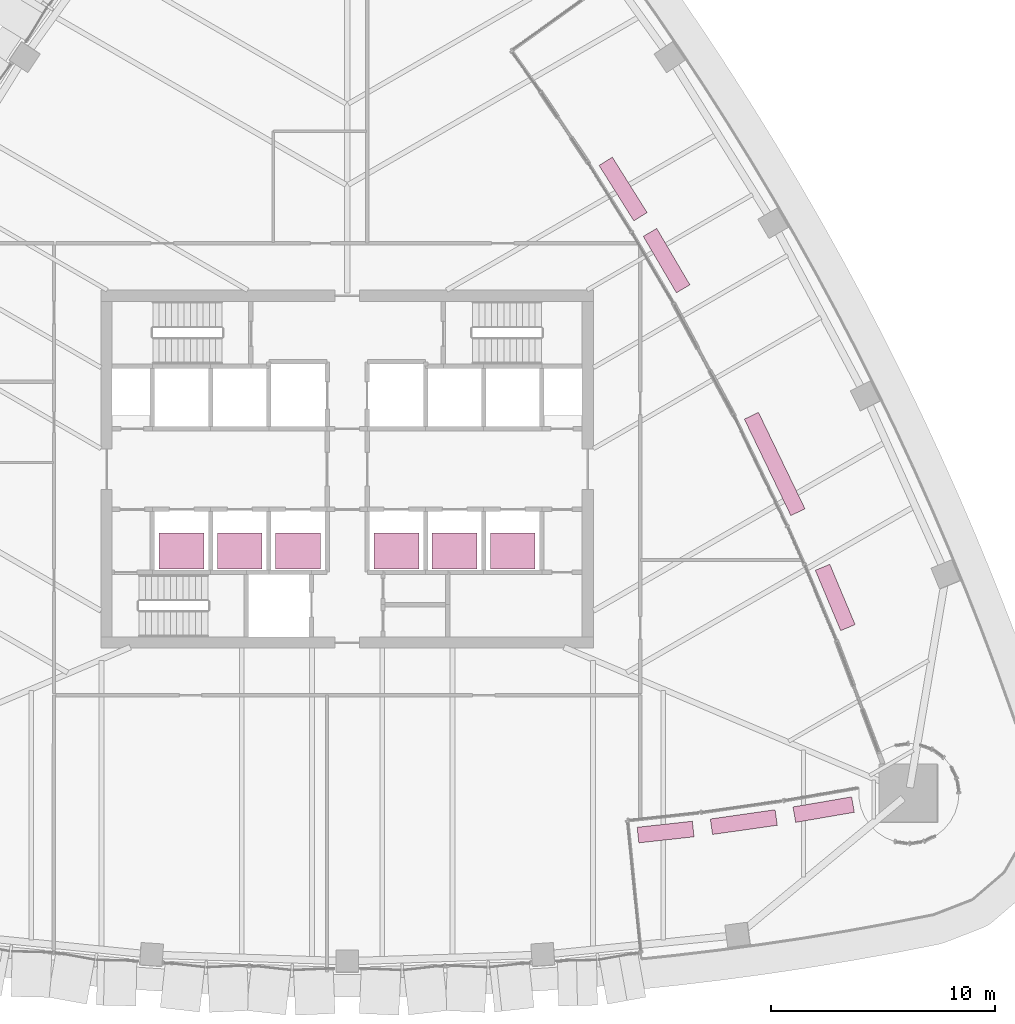
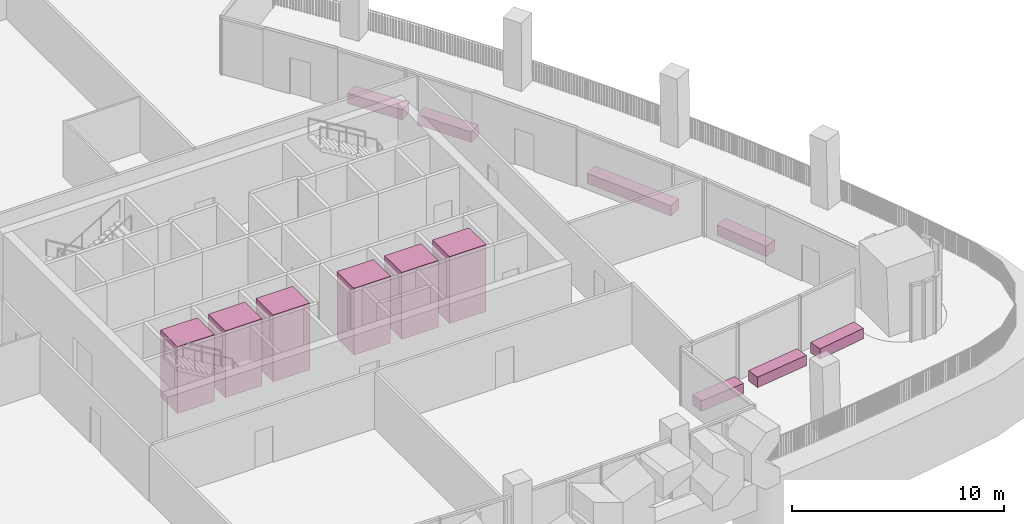
# One storey, part 20 of 20: 7 furniture elements, 6 transport elements.
"""IFC4 building model written with IfcOpenShell, lengths in metres."""

from ifc_helpers import new_model, si_unit, direction, frame, origin, origin_2d, place, context, subcontext, project, spatial, rectangle, extrude, material, type_object, element, save


model = new_model("IFC4")

# Units and contexts
model_context = context("Model", 3, precision=1e-05, world=origin(), true_north=direction((0.0, 1.0)))
body_context = subcontext(model_context, "Body", "Model", "MODEL_VIEW")
ifc_project = project(units=[si_unit("LENGTHUNIT", "METRE"), si_unit("AREAUNIT", "SQUARE_METRE"), si_unit("VOLUMEUNIT", "CUBIC_METRE"), si_unit("PLANEANGLEUNIT", "RADIAN"), si_unit("MASSUNIT", "GRAM", prefix="KILO")], contexts=[model_context])

# Site, building, storey
site_placement = place(None, origin())
site = spatial("IfcSite", under=ifc_project, at=site_placement, CompositionType="ELEMENT")
building_placement = place(site_placement, origin())
building = spatial("IfcBuilding", under=site, at=building_placement, Name="Sierra Prisma Convention Tower", CompositionType="ELEMENT")
storey_placement = place(building_placement, frame((0.0, 0.0, 125.800048828125)))
storey = spatial("IfcBuildingStorey", under=building, at=storey_placement, Name="L26", CompositionType="ELEMENT", Elevation=125.800048828125)

# Transport elements
ifc_material_1 = material(Name="Stainless steel", Category="steel")
transport_element_type = type_object("IfcTransportElementType", Name="Lift car office low 2000x1600 1600 kg", PredefinedType="ELEVATOR", material=ifc_material_1)
for number, where, z_axis, x_axis, name in (
    (1, (-7.39990234375, -3.64990234375, 0.0), (0.0, 0.0, 1.0), (1.0, 0.0, 0.0), "Lift OL1"),
    (2, (-4.800048828125, -3.64990234375, 0.0), (0.0, 0.0, 1.0), (1.0, 0.0, 0.0), "Lift OL2"),
    (3, (-2.199951171875, -3.64990234375, 0.0), (0.0, 0.0, 1.0), (1.0, 0.0, 0.0), "Lift OL3"),
    (4, (2.199951171875, -3.64990234375, 0.0), (0.0, 0.0, 1.0), (1.0, 0.0, 0.0), "Lift OL4"),
    (5, (4.800048828125, -3.64990234375, 0.0), (0.0, 0.0, 1.0), (1.0, 0.0, 0.0), "Lift OL5"),
    (6, (7.39990234375, -3.64990234375, 0.0), (0.0, 0.0, 1.0), (1.0, 0.0, 0.0), "Lift OL6"),
):
    element("IfcTransportElement", number, at=place(storey_placement, frame(where, z_axis=z_axis, x_axis=x_axis)), inside=storey, type_object=transport_element_type, Name=name, PredefinedType="ELEVATOR", context=body_context, shape_type="SweptSolid", body=[
        extrude(rectangle(XDim=2.0, YDim=1.60009765625, at=origin_2d()), origin(), (0.0, 0.0, 1.0), 3.85009765625),
    ])

# Furniture
ifc_material_2 = material(Name="Precast concrete C40/50", Category="concrete")
furniture_type = type_object("IfcFurnitureType", Name="Terrace planter", AssemblyPlace="NOTDEFINED", PredefinedType="USERDEFINED", material=ifc_material_2)
furniture_1_placement = place(storey_placement, frame((14.22607421875, -16.21240234375, 0.039794921875), z_axis=(0.0, 0.0, 1.0), x_axis=(0.994041536223, 0.109001946143, 0.0)))
element("IfcFurniture", 7, at=furniture_1_placement, inside=storey, type_object=furniture_type, Name="Planter L26.1", ObjectType="PLANTER", PredefinedType="USERDEFINED", context=body_context, shape_type="SweptSolid", body=[
    extrude(rectangle(XDim=2.479736328125, YDim=0.699951171875, at=origin_2d()), origin(), (0.0, 0.0, 1.0), 0.60009765625),
])
furniture_2_placement = place(storey_placement, frame((17.720947265625, -15.76904296875, 0.039794921875), z_axis=(0.0, 0.0, 1.0), x_axis=(0.990055871877, 0.14067469766, 0.0)))
element("IfcFurniture", 8, at=furniture_2_placement, inside=storey, type_object=furniture_type, Name="Planter L26.2", ObjectType="PLANTER", PredefinedType="USERDEFINED", context=body_context, shape_type="SweptSolid", body=[
    extrude(rectangle(XDim=2.922607421875, YDim=0.699951171875, at=origin_2d()), origin(), (0.0, 0.0, 1.0), 0.60009765625),
])
furniture_3_placement = place(storey_placement, frame((21.28857421875, -15.2109375, 0.039794921875), z_axis=(0.0, 0.0, 1.0), x_axis=(0.985535529273, 0.169468936803, 0.0)))
element("IfcFurniture", 9, at=furniture_3_placement, inside=storey, type_object=furniture_type, Name="Planter L26.3", ObjectType="PLANTER", PredefinedType="USERDEFINED", context=body_context, shape_type="SweptSolid", body=[
    extrude(rectangle(XDim=2.658935546875, YDim=0.699951171875, at=origin_2d()), origin(), (0.0, 0.0, 1.0), 0.60009765625),
])
furniture_4_placement = place(storey_placement, frame((21.8056640625, -5.731201171875, 0.039794921875), z_axis=(0.0, 0.0, 1.0), x_axis=(-0.386942105998, 0.922104010731, 0.0)))
element("IfcFurniture", 10, at=furniture_4_placement, inside=storey, type_object=furniture_type, Name="Planter L26.29", ObjectType="PLANTER", PredefinedType="USERDEFINED", context=body_context, shape_type="SweptSolid", body=[
    extrude(rectangle(XDim=2.922607421875, YDim=0.699951171875, at=origin_2d()), origin(), (0.0, 0.0, 1.0), 0.60009765625),
])
furniture_5_placement = place(storey_placement, frame((19.099365234375, 0.23291015625, 0.039794921875), z_axis=(0.0, 0.0, 1.0), x_axis=(-0.434346880081, 0.900745684288, 0.0)))
element("IfcFurniture", 11, at=furniture_5_placement, inside=storey, type_object=furniture_type, Name="Planter L26.31", ObjectType="PLANTER", PredefinedType="USERDEFINED", context=body_context, shape_type="SweptSolid", body=[
    extrude(rectangle(XDim=4.78369140625, YDim=0.699951171875, at=origin_2d()), origin(), (0.0, 0.0, 1.0), 0.60009765625),
])
for number, where, z_axis, x_axis, name in (
    (12, (14.270263671875, 9.319580078125, 0.039794921875), (0.0, 0.0, 1.0), (-0.506419476507, 0.862287257133, 0.0), "Planter L26.33"),
    (13, (12.3271484375, 12.5185546875, 0.039794921875), (0.0, 0.0, 1.0), (-0.531814403686, 0.846860933113, 0.0), "Planter L26.34"),
):
    element("IfcFurniture", number, at=place(storey_placement, frame(where, z_axis=z_axis, x_axis=x_axis)), inside=storey, type_object=furniture_type, Name=name, ObjectType="PLANTER", PredefinedType="USERDEFINED", context=body_context, shape_type="SweptSolid", body=[
        extrude(rectangle(XDim=2.922607421875, YDim=0.699951171875, at=origin_2d()), origin(), (0.0, 0.0, 1.0), 0.60009765625),
    ])

save(model, "model.ifc")
